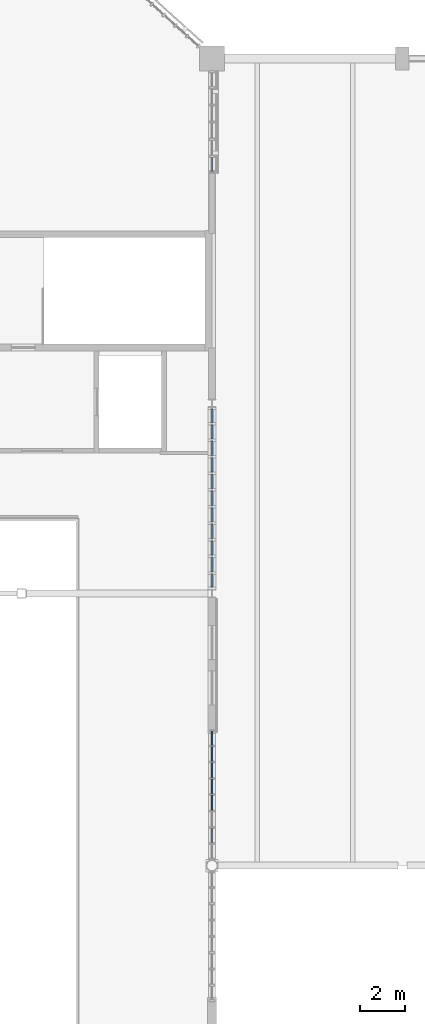
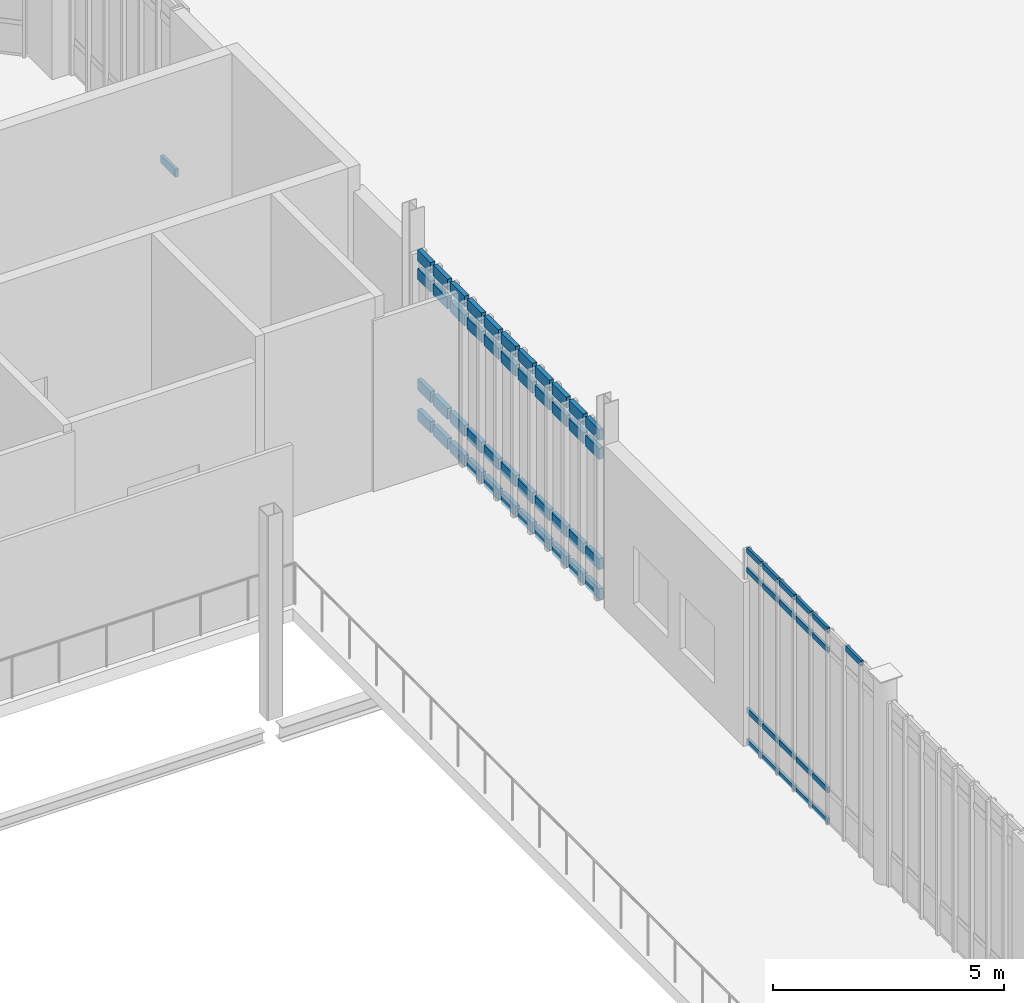
# One storey, part 58 of 135: 66 members, 3 elements without a shape of their own.
"""IFC4 building model written with IfcOpenShell, lengths in metres."""

from ifc_helpers import new_model, si_unit, direction, frame, origin, origin_2d, place, context, subcontext, project, spatial, rectangle, extrude, material, material_profile, profile_set, type_object, element, aggregate, save


model = new_model("IFC4")

# Units and contexts
model_context = context("Model", 3, precision=1e-05, world=origin(), true_north=direction((0.0, 1.0)))
body_context = subcontext(model_context, "Body", "Model", "MODEL_VIEW")
ifc_project = project(units=[si_unit("LENGTHUNIT", "METRE"), si_unit("AREAUNIT", "SQUARE_METRE"), si_unit("VOLUMEUNIT", "CUBIC_METRE"), si_unit("PLANEANGLEUNIT", "RADIAN"), si_unit("MASSUNIT", "GRAM", prefix="KILO")], contexts=[model_context])

# Site, building, storey
site_placement = place(None, origin())
site = spatial("IfcSite", under=ifc_project, at=site_placement, CompositionType="ELEMENT")
building_placement = place(site_placement, origin())
building = spatial("IfcBuilding", under=site, at=building_placement, Name="Larkvane Passage Sports Hall", CompositionType="ELEMENT")
storey_placement = place(building_placement, frame((0.0, 0.0, 16.800048828125)))
storey = spatial("IfcBuildingStorey", under=building, at=storey_placement, Name="L03", CompositionType="ELEMENT", Elevation=16.800048828125)

# Curtain wall, members
ifc_material_1 = material(Name="Thermally broken aluminium and low-E glazing", Category="aluminium")
curtain_wall_type_1 = type_object("IfcCurtainWallType", Name="CW-CLINIC", PredefinedType="USERDEFINED", material=ifc_material_1)
curtain_wall_1_placement = place(storey_placement, origin())
curtain_wall_1 = element("IfcCurtainWall", 1, at=curtain_wall_1_placement, inside=storey, type_object=curtain_wall_type_1, Name="Curtain wall CW5-L03-143", ObjectType="UNITISED CURTAIN WALL", PredefinedType="USERDEFINED")
ifc_material_2 = material(Name="Anodised aluminium 6063-T6", Category="aluminium")
ifc_material_profile_1 = material_profile(ifc_material_2, rectangle(XDim=0.110107421875, YDim=0.2900390625, at=origin_2d()), Name="ALU-TRN-110x290")
ifc_profile_set_1 = profile_set([ifc_material_profile_1], Name="Anodised aluminium 6063-T6")
member_type_1 = type_object("IfcMemberType", Name="CW-TRN-110x290", PredefinedType="USERDEFINED", material=ifc_profile_set_1)
member_1_placement = place(storey_placement, frame((93.60009765625, 83.718994140625, 0.054931640625), z_axis=(0.0, -1.0, 0.0), x_axis=(1.0, 0.0, 0.0)))
member_1 = element("IfcMember", 2, at=member_1_placement, type_object=member_type_1, Name="CW-05 transom 1.1", ObjectType="TRANSOM", PredefinedType="USERDEFINED", context=body_context, shape_type="SweptSolid", body=[
    extrude(rectangle(XDim=0.110107421875, YDim=0.2900390625, at=origin_2d()), origin(), (0.0, 0.0, 1.0), 0.567626953125),
])
member_2_placement = place(storey_placement, frame((93.60009765625, 83.718994140625, 0.849853515625), z_axis=(0.0, -1.0, 0.0), x_axis=(1.0, 0.0, 0.0)))
member_2 = element("IfcMember", 3, at=member_2_placement, type_object=member_type_1, Name="CW-05 transom 1.2", ObjectType="TRANSOM", PredefinedType="USERDEFINED", context=body_context, shape_type="SweptSolid", body=[
    extrude(rectangle(XDim=0.110107421875, YDim=0.2900390625, at=origin_2d()), origin(), (0.0, 0.0, 1.0), 0.567626953125),
])
member_3_placement = place(storey_placement, frame((93.60009765625, 83.718994140625, 3.765869140625), z_axis=(0.0, -1.0, 0.0), x_axis=(1.0, 0.0, 0.0)))
member_3 = element("IfcMember", 4, at=member_3_placement, type_object=member_type_1, Name="CW-05 transom 1.3", ObjectType="TRANSOM", PredefinedType="USERDEFINED", context=body_context, shape_type="SweptSolid", body=[
    extrude(rectangle(XDim=0.110107421875, YDim=0.2900390625, at=origin_2d()), origin(), (0.0, 0.0, 1.0), 0.567626953125),
])
member_4_placement = place(storey_placement, frame((93.60009765625, 83.718994140625, 4.260986328125), z_axis=(0.0, -1.0, 0.0), x_axis=(1.0, 0.0, 0.0)))
member_4 = element("IfcMember", 5, at=member_4_placement, type_object=member_type_1, Name="CW-05 transom 1.4", ObjectType="TRANSOM", PredefinedType="USERDEFINED", context=body_context, shape_type="SweptSolid", body=[
    extrude(rectangle(XDim=0.110107421875, YDim=0.2900390625, at=origin_2d()), origin(), (0.0, 0.0, 1.0), 0.567626953125),
])
member_5_placement = place(storey_placement, frame((93.60009765625, 83.04150390625, 0.054931640625), z_axis=(0.0, -1.0, 0.0), x_axis=(1.0, 0.0, 0.0)))
member_5 = element("IfcMember", 6, at=member_5_placement, type_object=member_type_1, Name="CW-05 transom 2.1", ObjectType="TRANSOM", PredefinedType="USERDEFINED", context=body_context, shape_type="SweptSolid", body=[
    extrude(rectangle(XDim=0.110107421875, YDim=0.2900390625, at=origin_2d()), origin(), (0.0, 0.0, 1.0), 0.62255859375),
])
member_6_placement = place(storey_placement, frame((93.60009765625, 83.04150390625, 0.849853515625), z_axis=(0.0, -1.0, 0.0), x_axis=(1.0, 0.0, 0.0)))
member_6 = element("IfcMember", 7, at=member_6_placement, type_object=member_type_1, Name="CW-05 transom 2.2", ObjectType="TRANSOM", PredefinedType="USERDEFINED", context=body_context, shape_type="SweptSolid", body=[
    extrude(rectangle(XDim=0.110107421875, YDim=0.2900390625, at=origin_2d()), origin(), (0.0, 0.0, 1.0), 0.62255859375),
])
member_7_placement = place(storey_placement, frame((93.60009765625, 83.04150390625, 3.765869140625), z_axis=(0.0, -1.0, 0.0), x_axis=(1.0, 0.0, 0.0)))
member_7 = element("IfcMember", 8, at=member_7_placement, type_object=member_type_1, Name="CW-05 transom 2.3", ObjectType="TRANSOM", PredefinedType="USERDEFINED", context=body_context, shape_type="SweptSolid", body=[
    extrude(rectangle(XDim=0.110107421875, YDim=0.2900390625, at=origin_2d()), origin(), (0.0, 0.0, 1.0), 0.62255859375),
])
member_8_placement = place(storey_placement, frame((93.60009765625, 83.04150390625, 4.260986328125), z_axis=(0.0, -1.0, 0.0), x_axis=(1.0, 0.0, 0.0)))
member_8 = element("IfcMember", 9, at=member_8_placement, type_object=member_type_1, Name="CW-05 transom 2.4", ObjectType="TRANSOM", PredefinedType="USERDEFINED", context=body_context, shape_type="SweptSolid", body=[
    extrude(rectangle(XDim=0.110107421875, YDim=0.2900390625, at=origin_2d()), origin(), (0.0, 0.0, 1.0), 0.62255859375),
])
member_9_placement = place(storey_placement, frame((93.60009765625, 82.308837890625, 0.054931640625), z_axis=(0.0, -1.0, 0.0), x_axis=(1.0, 0.0, 0.0)))
member_9 = element("IfcMember", 10, at=member_9_placement, type_object=member_type_1, Name="CW-05 transom 3.1", ObjectType="TRANSOM", PredefinedType="USERDEFINED", context=body_context, shape_type="SweptSolid", body=[
    extrude(rectangle(XDim=0.110107421875, YDim=0.2900390625, at=origin_2d()), origin(), (0.0, 0.0, 1.0), 0.62255859375),
])
member_10_placement = place(storey_placement, frame((93.60009765625, 82.308837890625, 0.849853515625), z_axis=(0.0, -1.0, 0.0), x_axis=(1.0, 0.0, 0.0)))
member_10 = element("IfcMember", 11, at=member_10_placement, type_object=member_type_1, Name="CW-05 transom 3.2", ObjectType="TRANSOM", PredefinedType="USERDEFINED", context=body_context, shape_type="SweptSolid", body=[
    extrude(rectangle(XDim=0.110107421875, YDim=0.2900390625, at=origin_2d()), origin(), (0.0, 0.0, 1.0), 0.62255859375),
])
member_11_placement = place(storey_placement, frame((93.60009765625, 82.308837890625, 3.765869140625), z_axis=(0.0, -1.0, 0.0), x_axis=(1.0, 0.0, 0.0)))
member_11 = element("IfcMember", 12, at=member_11_placement, type_object=member_type_1, Name="CW-05 transom 3.3", ObjectType="TRANSOM", PredefinedType="USERDEFINED", context=body_context, shape_type="SweptSolid", body=[
    extrude(rectangle(XDim=0.110107421875, YDim=0.2900390625, at=origin_2d()), origin(), (0.0, 0.0, 1.0), 0.62255859375),
])
member_12_placement = place(storey_placement, frame((93.60009765625, 82.308837890625, 4.260986328125), z_axis=(0.0, -1.0, 0.0), x_axis=(1.0, 0.0, 0.0)))
member_12 = element("IfcMember", 13, at=member_12_placement, type_object=member_type_1, Name="CW-05 transom 3.4", ObjectType="TRANSOM", PredefinedType="USERDEFINED", context=body_context, shape_type="SweptSolid", body=[
    extrude(rectangle(XDim=0.110107421875, YDim=0.2900390625, at=origin_2d()), origin(), (0.0, 0.0, 1.0), 0.62255859375),
])
member_13_placement = place(storey_placement, frame((93.60009765625, 81.576416015625, 0.054931640625), z_axis=(0.0, -1.0, 0.0), x_axis=(1.0, 0.0, 0.0)))
member_13 = element("IfcMember", 14, at=member_13_placement, type_object=member_type_1, Name="CW-05 transom 4.1", ObjectType="TRANSOM", PredefinedType="USERDEFINED", context=body_context, shape_type="SweptSolid", body=[
    extrude(rectangle(XDim=0.110107421875, YDim=0.2900390625, at=origin_2d()), origin(), (0.0, 0.0, 1.0), 0.62255859375),
])
member_14_placement = place(storey_placement, frame((93.60009765625, 81.576416015625, 0.849853515625), z_axis=(0.0, -1.0, 0.0), x_axis=(1.0, 0.0, 0.0)))
member_14 = element("IfcMember", 15, at=member_14_placement, type_object=member_type_1, Name="CW-05 transom 4.2", ObjectType="TRANSOM", PredefinedType="USERDEFINED", context=body_context, shape_type="SweptSolid", body=[
    extrude(rectangle(XDim=0.110107421875, YDim=0.2900390625, at=origin_2d()), origin(), (0.0, 0.0, 1.0), 0.62255859375),
])
member_15_placement = place(storey_placement, frame((93.60009765625, 81.576416015625, 3.765869140625), z_axis=(0.0, -1.0, 0.0), x_axis=(1.0, 0.0, 0.0)))
member_15 = element("IfcMember", 16, at=member_15_placement, type_object=member_type_1, Name="CW-05 transom 4.3", ObjectType="TRANSOM", PredefinedType="USERDEFINED", context=body_context, shape_type="SweptSolid", body=[
    extrude(rectangle(XDim=0.110107421875, YDim=0.2900390625, at=origin_2d()), origin(), (0.0, 0.0, 1.0), 0.62255859375),
])
member_16_placement = place(storey_placement, frame((93.60009765625, 81.576416015625, 4.260986328125), z_axis=(0.0, -1.0, 0.0), x_axis=(1.0, 0.0, 0.0)))
member_16 = element("IfcMember", 17, at=member_16_placement, type_object=member_type_1, Name="CW-05 transom 4.4", ObjectType="TRANSOM", PredefinedType="USERDEFINED", context=body_context, shape_type="SweptSolid", body=[
    extrude(rectangle(XDim=0.110107421875, YDim=0.2900390625, at=origin_2d()), origin(), (0.0, 0.0, 1.0), 0.62255859375),
])
member_17_placement = place(storey_placement, frame((93.60009765625, 80.84375, 0.054931640625), z_axis=(0.0, -1.0, 0.0), x_axis=(1.0, 0.0, 0.0)))
member_17 = element("IfcMember", 18, at=member_17_placement, type_object=member_type_1, Name="CW-05 transom 5.1", ObjectType="TRANSOM", PredefinedType="USERDEFINED", context=body_context, shape_type="SweptSolid", body=[
    extrude(rectangle(XDim=0.110107421875, YDim=0.2900390625, at=origin_2d()), origin(), (0.0, 0.0, 1.0), 0.62255859375),
])
member_18_placement = place(storey_placement, frame((93.60009765625, 80.84375, 0.849853515625), z_axis=(0.0, -1.0, 0.0), x_axis=(1.0, 0.0, 0.0)))
member_18 = element("IfcMember", 19, at=member_18_placement, type_object=member_type_1, Name="CW-05 transom 5.2", ObjectType="TRANSOM", PredefinedType="USERDEFINED", context=body_context, shape_type="SweptSolid", body=[
    extrude(rectangle(XDim=0.110107421875, YDim=0.2900390625, at=origin_2d()), origin(), (0.0, 0.0, 1.0), 0.62255859375),
])
member_19_placement = place(storey_placement, frame((93.60009765625, 80.84375, 3.765869140625), z_axis=(0.0, -1.0, 0.0), x_axis=(1.0, 0.0, 0.0)))
member_19 = element("IfcMember", 20, at=member_19_placement, type_object=member_type_1, Name="CW-05 transom 5.3", ObjectType="TRANSOM", PredefinedType="USERDEFINED", context=body_context, shape_type="SweptSolid", body=[
    extrude(rectangle(XDim=0.110107421875, YDim=0.2900390625, at=origin_2d()), origin(), (0.0, 0.0, 1.0), 0.62255859375),
])
member_20_placement = place(storey_placement, frame((93.60009765625, 80.84375, 4.260986328125), z_axis=(0.0, -1.0, 0.0), x_axis=(1.0, 0.0, 0.0)))
member_20 = element("IfcMember", 21, at=member_20_placement, type_object=member_type_1, Name="CW-05 transom 5.4", ObjectType="TRANSOM", PredefinedType="USERDEFINED", context=body_context, shape_type="SweptSolid", body=[
    extrude(rectangle(XDim=0.110107421875, YDim=0.2900390625, at=origin_2d()), origin(), (0.0, 0.0, 1.0), 0.62255859375),
])
member_21_placement = place(storey_placement, frame((93.60009765625, 80.111328125, 0.054931640625), z_axis=(0.0, -1.0, 0.0), x_axis=(1.0, 0.0, 0.0)))
member_21 = element("IfcMember", 22, at=member_21_placement, type_object=member_type_1, Name="CW-05 transom 6.1", ObjectType="TRANSOM", PredefinedType="USERDEFINED", context=body_context, shape_type="SweptSolid", body=[
    extrude(rectangle(XDim=0.110107421875, YDim=0.2900390625, at=origin_2d()), origin(), (0.0, 0.0, 1.0), 0.62255859375),
])
member_22_placement = place(storey_placement, frame((93.60009765625, 80.111328125, 0.849853515625), z_axis=(0.0, -1.0, 0.0), x_axis=(1.0, 0.0, 0.0)))
member_22 = element("IfcMember", 23, at=member_22_placement, type_object=member_type_1, Name="CW-05 transom 6.2", ObjectType="TRANSOM", PredefinedType="USERDEFINED", context=body_context, shape_type="SweptSolid", body=[
    extrude(rectangle(XDim=0.110107421875, YDim=0.2900390625, at=origin_2d()), origin(), (0.0, 0.0, 1.0), 0.62255859375),
])
member_23_placement = place(storey_placement, frame((93.60009765625, 80.111328125, 3.765869140625), z_axis=(0.0, -1.0, 0.0), x_axis=(1.0, 0.0, 0.0)))
member_23 = element("IfcMember", 24, at=member_23_placement, type_object=member_type_1, Name="CW-05 transom 6.3", ObjectType="TRANSOM", PredefinedType="USERDEFINED", context=body_context, shape_type="SweptSolid", body=[
    extrude(rectangle(XDim=0.110107421875, YDim=0.2900390625, at=origin_2d()), origin(), (0.0, 0.0, 1.0), 0.62255859375),
])
member_24_placement = place(storey_placement, frame((93.60009765625, 80.111328125, 4.260986328125), z_axis=(0.0, -1.0, 0.0), x_axis=(1.0, 0.0, 0.0)))
member_24 = element("IfcMember", 25, at=member_24_placement, type_object=member_type_1, Name="CW-05 transom 6.4", ObjectType="TRANSOM", PredefinedType="USERDEFINED", context=body_context, shape_type="SweptSolid", body=[
    extrude(rectangle(XDim=0.110107421875, YDim=0.2900390625, at=origin_2d()), origin(), (0.0, 0.0, 1.0), 0.62255859375),
])
member_25_placement = place(storey_placement, frame((93.60009765625, 79.378662109375, 0.054931640625), z_axis=(0.0, -1.0, 0.0), x_axis=(1.0, 0.0, 0.0)))
member_25 = element("IfcMember", 26, at=member_25_placement, type_object=member_type_1, Name="CW-05 transom 7.1", ObjectType="TRANSOM", PredefinedType="USERDEFINED", context=body_context, shape_type="SweptSolid", body=[
    extrude(rectangle(XDim=0.110107421875, YDim=0.2900390625, at=origin_2d()), origin(), (0.0, 0.0, 1.0), 0.62255859375),
])
member_26_placement = place(storey_placement, frame((93.60009765625, 79.378662109375, 0.849853515625), z_axis=(0.0, -1.0, 0.0), x_axis=(1.0, 0.0, 0.0)))
member_26 = element("IfcMember", 27, at=member_26_placement, type_object=member_type_1, Name="CW-05 transom 7.2", ObjectType="TRANSOM", PredefinedType="USERDEFINED", context=body_context, shape_type="SweptSolid", body=[
    extrude(rectangle(XDim=0.110107421875, YDim=0.2900390625, at=origin_2d()), origin(), (0.0, 0.0, 1.0), 0.62255859375),
])
member_27_placement = place(storey_placement, frame((93.60009765625, 79.378662109375, 3.765869140625), z_axis=(0.0, -1.0, 0.0), x_axis=(1.0, 0.0, 0.0)))
member_27 = element("IfcMember", 28, at=member_27_placement, type_object=member_type_1, Name="CW-05 transom 7.3", ObjectType="TRANSOM", PredefinedType="USERDEFINED", context=body_context, shape_type="SweptSolid", body=[
    extrude(rectangle(XDim=0.110107421875, YDim=0.2900390625, at=origin_2d()), origin(), (0.0, 0.0, 1.0), 0.62255859375),
])
member_28_placement = place(storey_placement, frame((93.60009765625, 79.378662109375, 4.260986328125), z_axis=(0.0, -1.0, 0.0), x_axis=(1.0, 0.0, 0.0)))
member_28 = element("IfcMember", 29, at=member_28_placement, type_object=member_type_1, Name="CW-05 transom 7.4", ObjectType="TRANSOM", PredefinedType="USERDEFINED", context=body_context, shape_type="SweptSolid", body=[
    extrude(rectangle(XDim=0.110107421875, YDim=0.2900390625, at=origin_2d()), origin(), (0.0, 0.0, 1.0), 0.62255859375),
])
member_29_placement = place(storey_placement, frame((93.60009765625, 78.646240234375, 0.054931640625), z_axis=(0.0, -1.0, 0.0), x_axis=(1.0, 0.0, 0.0)))
member_29 = element("IfcMember", 30, at=member_29_placement, type_object=member_type_1, Name="CW-05 transom 8.1", ObjectType="TRANSOM", PredefinedType="USERDEFINED", context=body_context, shape_type="SweptSolid", body=[
    extrude(rectangle(XDim=0.110107421875, YDim=0.2900390625, at=origin_2d()), origin(), (0.0, 0.0, 1.0), 0.62255859375),
])
member_30_placement = place(storey_placement, frame((93.60009765625, 78.646240234375, 0.849853515625), z_axis=(0.0, -1.0, 0.0), x_axis=(1.0, 0.0, 0.0)))
member_30 = element("IfcMember", 31, at=member_30_placement, type_object=member_type_1, Name="CW-05 transom 8.2", ObjectType="TRANSOM", PredefinedType="USERDEFINED", context=body_context, shape_type="SweptSolid", body=[
    extrude(rectangle(XDim=0.110107421875, YDim=0.2900390625, at=origin_2d()), origin(), (0.0, 0.0, 1.0), 0.62255859375),
])
member_31_placement = place(storey_placement, frame((93.60009765625, 78.646240234375, 3.765869140625), z_axis=(0.0, -1.0, 0.0), x_axis=(1.0, 0.0, 0.0)))
member_31 = element("IfcMember", 32, at=member_31_placement, type_object=member_type_1, Name="CW-05 transom 8.3", ObjectType="TRANSOM", PredefinedType="USERDEFINED", context=body_context, shape_type="SweptSolid", body=[
    extrude(rectangle(XDim=0.110107421875, YDim=0.2900390625, at=origin_2d()), origin(), (0.0, 0.0, 1.0), 0.62255859375),
])
member_32_placement = place(storey_placement, frame((93.60009765625, 78.646240234375, 4.260986328125), z_axis=(0.0, -1.0, 0.0), x_axis=(1.0, 0.0, 0.0)))
member_32 = element("IfcMember", 33, at=member_32_placement, type_object=member_type_1, Name="CW-05 transom 8.4", ObjectType="TRANSOM", PredefinedType="USERDEFINED", context=body_context, shape_type="SweptSolid", body=[
    extrude(rectangle(XDim=0.110107421875, YDim=0.2900390625, at=origin_2d()), origin(), (0.0, 0.0, 1.0), 0.62255859375),
])
member_33_placement = place(storey_placement, frame((93.60009765625, 77.91357421875, 0.054931640625), z_axis=(0.0, -1.0, 0.0), x_axis=(1.0, 0.0, 0.0)))
member_33 = element("IfcMember", 34, at=member_33_placement, type_object=member_type_1, Name="CW-05 transom 9.1", ObjectType="TRANSOM", PredefinedType="USERDEFINED", context=body_context, shape_type="SweptSolid", body=[
    extrude(rectangle(XDim=0.110107421875, YDim=0.2900390625, at=origin_2d()), origin(), (0.0, 0.0, 1.0), 0.62255859375),
])
member_34_placement = place(storey_placement, frame((93.60009765625, 77.91357421875, 0.849853515625), z_axis=(0.0, -1.0, 0.0), x_axis=(1.0, 0.0, 0.0)))
member_34 = element("IfcMember", 35, at=member_34_placement, type_object=member_type_1, Name="CW-05 transom 9.2", ObjectType="TRANSOM", PredefinedType="USERDEFINED", context=body_context, shape_type="SweptSolid", body=[
    extrude(rectangle(XDim=0.110107421875, YDim=0.2900390625, at=origin_2d()), origin(), (0.0, 0.0, 1.0), 0.62255859375),
])
member_35_placement = place(storey_placement, frame((93.60009765625, 77.91357421875, 3.765869140625), z_axis=(0.0, -1.0, 0.0), x_axis=(1.0, 0.0, 0.0)))
member_35 = element("IfcMember", 36, at=member_35_placement, type_object=member_type_1, Name="CW-05 transom 9.3", ObjectType="TRANSOM", PredefinedType="USERDEFINED", context=body_context, shape_type="SweptSolid", body=[
    extrude(rectangle(XDim=0.110107421875, YDim=0.2900390625, at=origin_2d()), origin(), (0.0, 0.0, 1.0), 0.62255859375),
])
member_36_placement = place(storey_placement, frame((93.60009765625, 77.91357421875, 4.260986328125), z_axis=(0.0, -1.0, 0.0), x_axis=(1.0, 0.0, 0.0)))
member_36 = element("IfcMember", 37, at=member_36_placement, type_object=member_type_1, Name="CW-05 transom 9.4", ObjectType="TRANSOM", PredefinedType="USERDEFINED", context=body_context, shape_type="SweptSolid", body=[
    extrude(rectangle(XDim=0.110107421875, YDim=0.2900390625, at=origin_2d()), origin(), (0.0, 0.0, 1.0), 0.62255859375),
])
member_37_placement = place(storey_placement, frame((93.60009765625, 77.18115234375, 0.054931640625), z_axis=(0.0, -1.0, 0.0), x_axis=(1.0, 0.0, 0.0)))
member_37 = element("IfcMember", 38, at=member_37_placement, type_object=member_type_1, Name="CW-05 transom 10.1", ObjectType="TRANSOM", PredefinedType="USERDEFINED", context=body_context, shape_type="SweptSolid", body=[
    extrude(rectangle(XDim=0.110107421875, YDim=0.2900390625, at=origin_2d()), origin(), (0.0, 0.0, 1.0), 0.62255859375),
])
member_38_placement = place(storey_placement, frame((93.60009765625, 77.18115234375, 0.849853515625), z_axis=(0.0, -1.0, 0.0), x_axis=(1.0, 0.0, 0.0)))
member_38 = element("IfcMember", 39, at=member_38_placement, type_object=member_type_1, Name="CW-05 transom 10.2", ObjectType="TRANSOM", PredefinedType="USERDEFINED", context=body_context, shape_type="SweptSolid", body=[
    extrude(rectangle(XDim=0.110107421875, YDim=0.2900390625, at=origin_2d()), origin(), (0.0, 0.0, 1.0), 0.62255859375),
])
member_39_placement = place(storey_placement, frame((93.60009765625, 77.18115234375, 3.765869140625), z_axis=(0.0, -1.0, 0.0), x_axis=(1.0, 0.0, 0.0)))
member_39 = element("IfcMember", 40, at=member_39_placement, type_object=member_type_1, Name="CW-05 transom 10.3", ObjectType="TRANSOM", PredefinedType="USERDEFINED", context=body_context, shape_type="SweptSolid", body=[
    extrude(rectangle(XDim=0.110107421875, YDim=0.2900390625, at=origin_2d()), origin(), (0.0, 0.0, 1.0), 0.62255859375),
])
member_40_placement = place(storey_placement, frame((93.60009765625, 77.18115234375, 4.260986328125), z_axis=(0.0, -1.0, 0.0), x_axis=(1.0, 0.0, 0.0)))
member_40 = element("IfcMember", 41, at=member_40_placement, type_object=member_type_1, Name="CW-05 transom 10.4", ObjectType="TRANSOM", PredefinedType="USERDEFINED", context=body_context, shape_type="SweptSolid", body=[
    extrude(rectangle(XDim=0.110107421875, YDim=0.2900390625, at=origin_2d()), origin(), (0.0, 0.0, 1.0), 0.62255859375),
])
member_41_placement = place(storey_placement, frame((93.60009765625, 76.448486328125, 0.054931640625), z_axis=(0.0, -1.0, 0.0), x_axis=(1.0, 0.0, 0.0)))
member_41 = element("IfcMember", 42, at=member_41_placement, type_object=member_type_1, Name="CW-05 transom 11.1", ObjectType="TRANSOM", PredefinedType="USERDEFINED", context=body_context, shape_type="SweptSolid", body=[
    extrude(rectangle(XDim=0.110107421875, YDim=0.2900390625, at=origin_2d()), origin(), (0.0, 0.0, 1.0), 0.5673828125),
])
member_42_placement = place(storey_placement, frame((93.60009765625, 76.448486328125, 0.849853515625), z_axis=(0.0, -1.0, 0.0), x_axis=(1.0, 0.0, 0.0)))
member_42 = element("IfcMember", 43, at=member_42_placement, type_object=member_type_1, Name="CW-05 transom 11.2", ObjectType="TRANSOM", PredefinedType="USERDEFINED", context=body_context, shape_type="SweptSolid", body=[
    extrude(rectangle(XDim=0.110107421875, YDim=0.2900390625, at=origin_2d()), origin(), (0.0, 0.0, 1.0), 0.5673828125),
])
member_43_placement = place(storey_placement, frame((93.60009765625, 76.448486328125, 3.765869140625), z_axis=(0.0, -1.0, 0.0), x_axis=(1.0, 0.0, 0.0)))
member_43 = element("IfcMember", 44, at=member_43_placement, type_object=member_type_1, Name="CW-05 transom 11.3", ObjectType="TRANSOM", PredefinedType="USERDEFINED", context=body_context, shape_type="SweptSolid", body=[
    extrude(rectangle(XDim=0.110107421875, YDim=0.2900390625, at=origin_2d()), origin(), (0.0, 0.0, 1.0), 0.5673828125),
])
member_44_placement = place(storey_placement, frame((93.60009765625, 76.448486328125, 4.260986328125), z_axis=(0.0, -1.0, 0.0), x_axis=(1.0, 0.0, 0.0)))
member_44 = element("IfcMember", 45, at=member_44_placement, type_object=member_type_1, Name="CW-05 transom 11.4", ObjectType="TRANSOM", PredefinedType="USERDEFINED", context=body_context, shape_type="SweptSolid", body=[
    extrude(rectangle(XDim=0.110107421875, YDim=0.2900390625, at=origin_2d()), origin(), (0.0, 0.0, 1.0), 0.5673828125),
])
aggregate(curtain_wall_1, [member_1, member_2, member_3, member_4, member_5, member_6, member_7, member_8, member_9, member_10, member_11, member_12, member_13, member_14, member_15, member_16, member_17, member_18, member_19, member_20, member_21, member_22, member_23, member_24, member_25, member_26, member_27, member_28, member_29, member_30, member_31, member_32, member_33, member_34, member_35, member_36, member_37, member_38, member_39, member_40, member_41, member_42, member_43, member_44])

curtain_wall_type_2 = type_object("IfcCurtainWallType", Name="CW-UNIT-COURT", PredefinedType="USERDEFINED", material=ifc_material_1)
curtain_wall_2_placement = place(storey_placement, origin())
curtain_wall_2 = element("IfcCurtainWall", 46, at=curtain_wall_2_placement, inside=storey, type_object=curtain_wall_type_2, Name="Curtain wall CW5-L03-144", ObjectType="UNITISED CURTAIN WALL", PredefinedType="USERDEFINED")
ifc_material_profile_2 = material_profile(ifc_material_2, rectangle(XDim=0.06494140625, YDim=0.139892578125, at=origin_2d()), Name="ALU-TRN-65x140")
ifc_profile_set_2 = profile_set([ifc_material_profile_2], Name="Anodised aluminium 6063-T6")
member_type_2 = type_object("IfcMemberType", Name="CW-TRN-65x140", PredefinedType="USERDEFINED", material=ifc_profile_set_2)
member_45_placement = place(storey_placement, frame((93.60009765625, 69.534912109375, 0.032470703125), z_axis=(0.0, -1.0, 0.0), x_axis=(1.0, 0.0, 0.0)))
member_45 = element("IfcMember", 47, at=member_45_placement, type_object=member_type_2, Name="CW-01 transom 1.1", ObjectType="TRANSOM", PredefinedType="USERDEFINED", context=body_context, shape_type="SweptSolid", body=[
    extrude(rectangle(XDim=0.06494140625, YDim=0.139892578125, at=origin_2d()), origin(), (0.0, 0.0, 1.0), 0.62109375),
])
member_46_placement = place(storey_placement, frame((93.60009765625, 69.534912109375, 0.849853515625), z_axis=(0.0, -1.0, 0.0), x_axis=(1.0, 0.0, 0.0)))
member_46 = element("IfcMember", 48, at=member_46_placement, type_object=member_type_2, Name="CW-01 transom 1.2", ObjectType="TRANSOM", PredefinedType="USERDEFINED", context=body_context, shape_type="SweptSolid", body=[
    extrude(rectangle(XDim=0.06494140625, YDim=0.139892578125, at=origin_2d()), origin(), (0.0, 0.0, 1.0), 0.62109375),
])
member_47_placement = place(storey_placement, frame((93.60009765625, 69.534912109375, 4.550048828125), z_axis=(0.0, -1.0, 0.0), x_axis=(1.0, 0.0, 0.0)))
member_47 = element("IfcMember", 49, at=member_47_placement, type_object=member_type_2, Name="CW-01 transom 1.3", ObjectType="TRANSOM", PredefinedType="USERDEFINED", context=body_context, shape_type="SweptSolid", body=[
    extrude(rectangle(XDim=0.06494140625, YDim=0.139892578125, at=origin_2d()), origin(), (0.0, 0.0, 1.0), 0.62109375),
])
member_48_placement = place(storey_placement, frame((93.60009765625, 69.534912109375, 5.0673828125), z_axis=(0.0, -1.0, 0.0), x_axis=(1.0, 0.0, 0.0)))
member_48 = element("IfcMember", 50, at=member_48_placement, type_object=member_type_2, Name="CW-01 transom 1.4", ObjectType="TRANSOM", PredefinedType="USERDEFINED", context=body_context, shape_type="SweptSolid", body=[
    extrude(rectangle(XDim=0.06494140625, YDim=0.139892578125, at=origin_2d()), origin(), (0.0, 0.0, 1.0), 0.62109375),
])
member_49_placement = place(storey_placement, frame((93.60009765625, 68.8486328125, 0.032470703125), z_axis=(0.0, -1.0, 0.0), x_axis=(1.0, 0.0, 0.0)))
member_49 = element("IfcMember", 51, at=member_49_placement, type_object=member_type_2, Name="CW-01 transom 2.1", ObjectType="TRANSOM", PredefinedType="USERDEFINED", context=body_context, shape_type="SweptSolid", body=[
    extrude(rectangle(XDim=0.06494140625, YDim=0.139892578125, at=origin_2d()), origin(), (0.0, 0.0, 1.0), 0.653564453125),
])
member_50_placement = place(storey_placement, frame((93.60009765625, 68.8486328125, 0.849853515625), z_axis=(0.0, -1.0, 0.0), x_axis=(1.0, 0.0, 0.0)))
member_50 = element("IfcMember", 52, at=member_50_placement, type_object=member_type_2, Name="CW-01 transom 2.2", ObjectType="TRANSOM", PredefinedType="USERDEFINED", context=body_context, shape_type="SweptSolid", body=[
    extrude(rectangle(XDim=0.06494140625, YDim=0.139892578125, at=origin_2d()), origin(), (0.0, 0.0, 1.0), 0.653564453125),
])
member_51_placement = place(storey_placement, frame((93.60009765625, 68.8486328125, 4.550048828125), z_axis=(0.0, -1.0, 0.0), x_axis=(1.0, 0.0, 0.0)))
member_51 = element("IfcMember", 53, at=member_51_placement, type_object=member_type_2, Name="CW-01 transom 2.3", ObjectType="TRANSOM", PredefinedType="USERDEFINED", context=body_context, shape_type="SweptSolid", body=[
    extrude(rectangle(XDim=0.06494140625, YDim=0.139892578125, at=origin_2d()), origin(), (0.0, 0.0, 1.0), 0.653564453125),
])
member_52_placement = place(storey_placement, frame((93.60009765625, 68.8486328125, 5.0673828125), z_axis=(0.0, -1.0, 0.0), x_axis=(1.0, 0.0, 0.0)))
member_52 = element("IfcMember", 54, at=member_52_placement, type_object=member_type_2, Name="CW-01 transom 2.4", ObjectType="TRANSOM", PredefinedType="USERDEFINED", context=body_context, shape_type="SweptSolid", body=[
    extrude(rectangle(XDim=0.06494140625, YDim=0.139892578125, at=origin_2d()), origin(), (0.0, 0.0, 1.0), 0.653564453125),
])
member_53_placement = place(storey_placement, frame((93.60009765625, 68.1298828125, 0.032470703125), z_axis=(0.0, -1.0, 0.0), x_axis=(1.0, 0.0, 0.0)))
member_53 = element("IfcMember", 55, at=member_53_placement, type_object=member_type_2, Name="CW-01 transom 3.1", ObjectType="TRANSOM", PredefinedType="USERDEFINED", context=body_context, shape_type="SweptSolid", body=[
    extrude(rectangle(XDim=0.06494140625, YDim=0.139892578125, at=origin_2d()), origin(), (0.0, 0.0, 1.0), 0.653564453125),
])
member_54_placement = place(storey_placement, frame((93.60009765625, 68.1298828125, 0.849853515625), z_axis=(0.0, -1.0, 0.0), x_axis=(1.0, 0.0, 0.0)))
member_54 = element("IfcMember", 56, at=member_54_placement, type_object=member_type_2, Name="CW-01 transom 3.2", ObjectType="TRANSOM", PredefinedType="USERDEFINED", context=body_context, shape_type="SweptSolid", body=[
    extrude(rectangle(XDim=0.06494140625, YDim=0.139892578125, at=origin_2d()), origin(), (0.0, 0.0, 1.0), 0.653564453125),
])
member_55_placement = place(storey_placement, frame((93.60009765625, 68.1298828125, 4.550048828125), z_axis=(0.0, -1.0, 0.0), x_axis=(1.0, 0.0, 0.0)))
member_55 = element("IfcMember", 57, at=member_55_placement, type_object=member_type_2, Name="CW-01 transom 3.3", ObjectType="TRANSOM", PredefinedType="USERDEFINED", context=body_context, shape_type="SweptSolid", body=[
    extrude(rectangle(XDim=0.06494140625, YDim=0.139892578125, at=origin_2d()), origin(), (0.0, 0.0, 1.0), 0.653564453125),
])
member_56_placement = place(storey_placement, frame((93.60009765625, 68.1298828125, 5.0673828125), z_axis=(0.0, -1.0, 0.0), x_axis=(1.0, 0.0, 0.0)))
member_56 = element("IfcMember", 58, at=member_56_placement, type_object=member_type_2, Name="CW-01 transom 3.4", ObjectType="TRANSOM", PredefinedType="USERDEFINED", context=body_context, shape_type="SweptSolid", body=[
    extrude(rectangle(XDim=0.06494140625, YDim=0.139892578125, at=origin_2d()), origin(), (0.0, 0.0, 1.0), 0.653564453125),
])
member_57_placement = place(storey_placement, frame((93.60009765625, 67.4111328125, 0.032470703125), z_axis=(0.0, -1.0, 0.0), x_axis=(1.0, 0.0, 0.0)))
member_57 = element("IfcMember", 59, at=member_57_placement, type_object=member_type_2, Name="CW-01 transom 4.1", ObjectType="TRANSOM", PredefinedType="USERDEFINED", context=body_context, shape_type="SweptSolid", body=[
    extrude(rectangle(XDim=0.06494140625, YDim=0.139892578125, at=origin_2d()), origin(), (0.0, 0.0, 1.0), 0.653564453125),
])
member_58_placement = place(storey_placement, frame((93.60009765625, 67.4111328125, 0.849853515625), z_axis=(0.0, -1.0, 0.0), x_axis=(1.0, 0.0, 0.0)))
member_58 = element("IfcMember", 60, at=member_58_placement, type_object=member_type_2, Name="CW-01 transom 4.2", ObjectType="TRANSOM", PredefinedType="USERDEFINED", context=body_context, shape_type="SweptSolid", body=[
    extrude(rectangle(XDim=0.06494140625, YDim=0.139892578125, at=origin_2d()), origin(), (0.0, 0.0, 1.0), 0.653564453125),
])
member_59_placement = place(storey_placement, frame((93.60009765625, 67.4111328125, 4.550048828125), z_axis=(0.0, -1.0, 0.0), x_axis=(1.0, 0.0, 0.0)))
member_59 = element("IfcMember", 61, at=member_59_placement, type_object=member_type_2, Name="CW-01 transom 4.3", ObjectType="TRANSOM", PredefinedType="USERDEFINED", context=body_context, shape_type="SweptSolid", body=[
    extrude(rectangle(XDim=0.06494140625, YDim=0.139892578125, at=origin_2d()), origin(), (0.0, 0.0, 1.0), 0.653564453125),
])
member_60_placement = place(storey_placement, frame((93.60009765625, 67.4111328125, 5.0673828125), z_axis=(0.0, -1.0, 0.0), x_axis=(1.0, 0.0, 0.0)))
member_60 = element("IfcMember", 62, at=member_60_placement, type_object=member_type_2, Name="CW-01 transom 4.4", ObjectType="TRANSOM", PredefinedType="USERDEFINED", context=body_context, shape_type="SweptSolid", body=[
    extrude(rectangle(XDim=0.06494140625, YDim=0.139892578125, at=origin_2d()), origin(), (0.0, 0.0, 1.0), 0.653564453125),
])
member_61_placement = place(storey_placement, frame((93.60009765625, 66.6923828125, 0.032470703125), z_axis=(0.0, -1.0, 0.0), x_axis=(1.0, 0.0, 0.0)))
member_61 = element("IfcMember", 63, at=member_61_placement, type_object=member_type_2, Name="CW-01 transom 5.1", ObjectType="TRANSOM", PredefinedType="USERDEFINED", context=body_context, shape_type="SweptSolid", body=[
    extrude(rectangle(XDim=0.06494140625, YDim=0.139892578125, at=origin_2d()), origin(), (0.0, 0.0, 1.0), 0.653564453125),
])
member_62_placement = place(storey_placement, frame((93.60009765625, 66.6923828125, 0.849853515625), z_axis=(0.0, -1.0, 0.0), x_axis=(1.0, 0.0, 0.0)))
member_62 = element("IfcMember", 64, at=member_62_placement, type_object=member_type_2, Name="CW-01 transom 5.2", ObjectType="TRANSOM", PredefinedType="USERDEFINED", context=body_context, shape_type="SweptSolid", body=[
    extrude(rectangle(XDim=0.06494140625, YDim=0.139892578125, at=origin_2d()), origin(), (0.0, 0.0, 1.0), 0.653564453125),
])
member_63_placement = place(storey_placement, frame((93.60009765625, 66.6923828125, 4.550048828125), z_axis=(0.0, -1.0, 0.0), x_axis=(1.0, 0.0, 0.0)))
member_63 = element("IfcMember", 65, at=member_63_placement, type_object=member_type_2, Name="CW-01 transom 5.3", ObjectType="TRANSOM", PredefinedType="USERDEFINED", context=body_context, shape_type="SweptSolid", body=[
    extrude(rectangle(XDim=0.06494140625, YDim=0.139892578125, at=origin_2d()), origin(), (0.0, 0.0, 1.0), 0.653564453125),
])
member_64_placement = place(storey_placement, frame((93.60009765625, 66.6923828125, 5.0673828125), z_axis=(0.0, -1.0, 0.0), x_axis=(1.0, 0.0, 0.0)))
member_64 = element("IfcMember", 66, at=member_64_placement, type_object=member_type_2, Name="CW-01 transom 5.4", ObjectType="TRANSOM", PredefinedType="USERDEFINED", context=body_context, shape_type="SweptSolid", body=[
    extrude(rectangle(XDim=0.06494140625, YDim=0.139892578125, at=origin_2d()), origin(), (0.0, 0.0, 1.0), 0.653564453125),
])
member_65_placement = place(storey_placement, frame((93.60009765625, 65.2548828125, 5.0673828125), z_axis=(0.0, -1.0, 0.0), x_axis=(1.0, 0.0, 0.0)))
member_65 = element("IfcMember", 67, at=member_65_placement, type_object=member_type_2, Name="CW-01 transom 7.4", ObjectType="TRANSOM", PredefinedType="USERDEFINED", context=body_context, shape_type="SweptSolid", body=[
    extrude(rectangle(XDim=0.06494140625, YDim=0.139892578125, at=origin_2d()), origin(), (0.0, 0.0, 1.0), 0.653564453125),
])
aggregate(curtain_wall_2, [member_45, member_46, member_47, member_48, member_49, member_50, member_51, member_52, member_53, member_54, member_55, member_56, member_57, member_58, member_59, member_60, member_61, member_62, member_63, member_64, member_65])

# Curtain wall, member
curtain_wall_type_3 = type_object("IfcCurtainWallType", Name="CW-STICK-FOYER", PredefinedType="USERDEFINED", material=ifc_material_1)
curtain_wall_3_placement = place(storey_placement, origin())
curtain_wall_3 = element("IfcCurtainWall", 68, at=curtain_wall_3_placement, inside=storey, type_object=curtain_wall_type_3, Name="Curtain wall CW5-L03-142", ObjectType="STICK CURTAIN WALL", PredefinedType="USERDEFINED")
ifc_material_profile_3 = material_profile(ifc_material_2, rectangle(XDim=0.080078125, YDim=0.2099609375, at=origin_2d()), Name="ALU-TRN-80x210")
ifc_profile_set_3 = profile_set([ifc_material_profile_3], Name="Anodised aluminium 6063-T6")
member_type_3 = type_object("IfcMemberType", Name="CW-TRN-80x210", PredefinedType="USERDEFINED", material=ifc_profile_set_3)
member_66_placement = place(storey_placement, frame((93.60009765625, 94.8466796875, 0.0400390625), z_axis=(0.0, -1.0, 0.0), x_axis=(1.0, 0.0, 0.0)))
member_66 = element("IfcMember", 69, at=member_66_placement, type_object=member_type_3, Name="CW-03 transom 6.1", ObjectType="TRANSOM", PredefinedType="USERDEFINED", context=body_context, shape_type="SweptSolid", body=[
    extrude(rectangle(XDim=0.080078125, YDim=0.2099609375, at=origin_2d()), origin(), (0.0, 0.0, 1.0), 0.63330078125),
])
aggregate(curtain_wall_3, [member_66])

save(model, "model.ifc")
